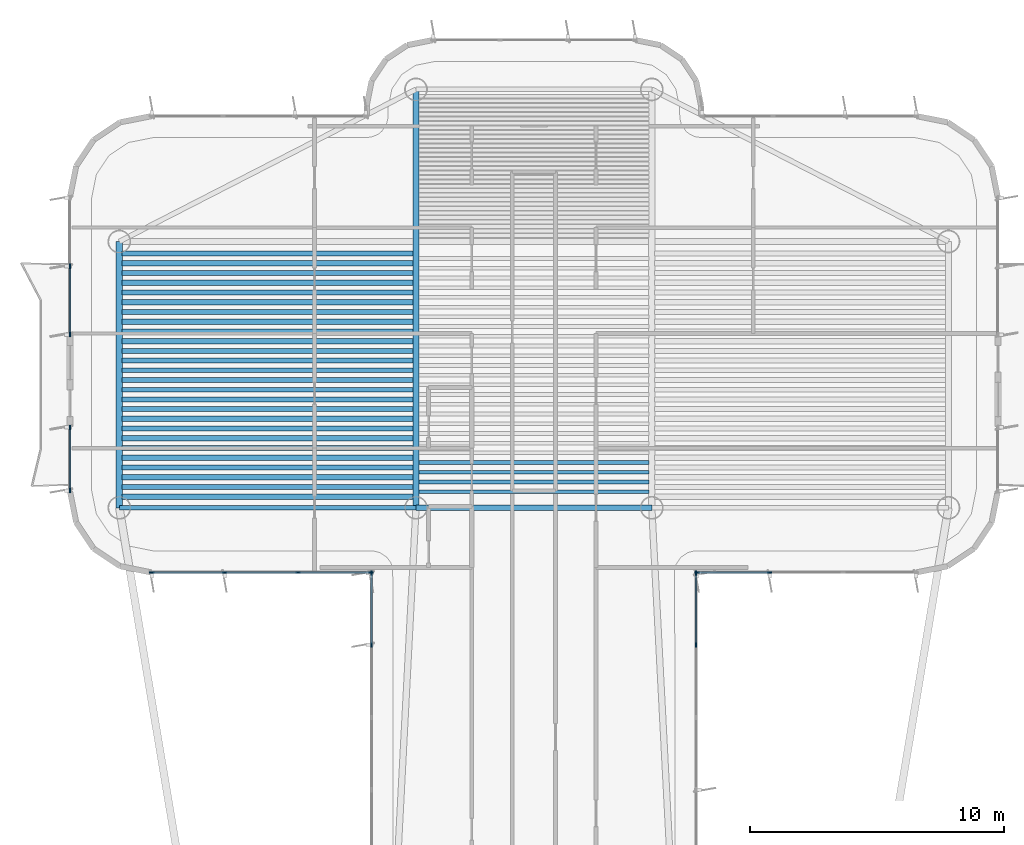
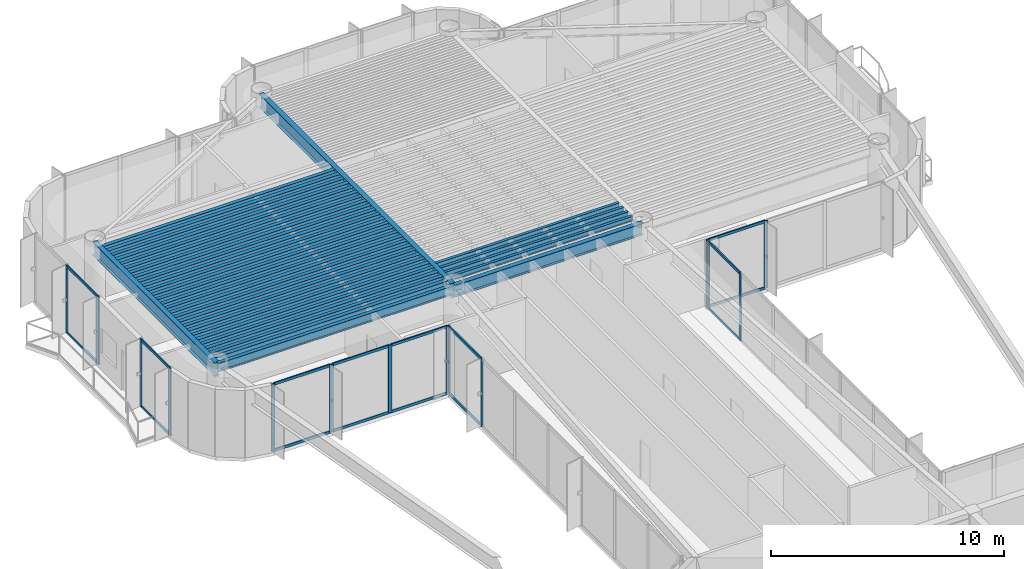
# One storey, part 5 of 15: 34 beams, 30 members, 6 elements without a shape of their own.
"""IFC4 building model written with IfcOpenShell, lengths in metres."""

from ifc_helpers import new_model, si_unit, direction, frame, origin, origin_2d, place, context, subcontext, project, spatial, rectangle, i_section, extrude, source, transform, mapped, material, layer, layer_set, material_profile, profile_set, type_object, element, aggregate, save


model = new_model("IFC4")

# Units and contexts
model_context = context("Model", 3, precision=1e-05, world=origin(), true_north=direction((0.0, 1.0)))
body_context = subcontext(model_context, "Body", "Model", "MODEL_VIEW")
ifc_project = project(units=[si_unit("LENGTHUNIT", "METRE"), si_unit("AREAUNIT", "SQUARE_METRE"), si_unit("VOLUMEUNIT", "CUBIC_METRE"), si_unit("PLANEANGLEUNIT", "RADIAN"), si_unit("MASSUNIT", "GRAM", prefix="KILO")], contexts=[model_context])

# Site, building, storey
site_placement = place(None, origin())
site = spatial("IfcSite", under=ifc_project, at=site_placement, CompositionType="ELEMENT")
building_placement = place(site_placement, origin())
building = spatial("IfcBuilding", under=site, at=building_placement, Name="Brelvock Crest Care Tower", CompositionType="ELEMENT")
storey_placement = place(building_placement, frame((0.0, 0.0, 260.820068359375)))
storey = spatial("IfcBuildingStorey", under=building, at=storey_placement, Name="L66", CompositionType="ELEMENT", Elevation=260.820068359375)

# Beams
ifc_material_1 = material(Name="Steel Grade 350", Category="steel")
ifc_material_profile_1 = material_profile(ifc_material_1, i_section(OverallWidth=0.25, OverallDepth=0.699951171875, WebThickness=0.011962890625, FlangeThickness=0.02001953125, at=origin_2d()), Name="700WB150")
ifc_profile_set_1 = profile_set([ifc_material_profile_1], Name="Steel Grade 350")
beam_type_1 = type_object("IfcBeamType", Name="BM-G4", PredefinedType="BEAM", material=ifc_profile_set_1)
shared_shape_1 = source(origin(), body_context, "Body", "SweptSolid", [
    extrude(i_section(OverallWidth=0.25, OverallDepth=0.699951171875, WebThickness=0.011962890625, FlangeThickness=0.02001953125, at=origin_2d()), origin(), (0.0, 0.0, 1.0), 10.5),
])
beam_1_placement = place(storey_placement, frame((19.64990234375, 43.949951171875, 3.179931640625), z_axis=(0.0, 1.0, 0.0), x_axis=(-1.0, 0.0, 0.0)))
element("IfcBeam", 1, at=beam_1_placement, inside=storey, type_object=beam_type_1, Name="BM-TWR-L66-01", PredefinedType="BEAM", context=body_context, shape_type="MappedRepresentation", body=[
    mapped(shared_shape_1, transform((0.0, 0.0, 0.0), x_axis=(1.0, 0.0, 0.0), y_axis=(0.0, 1.0, 0.0), z_axis=(0.0, 0.0, 1.0), scale=1.0)),
])
ifc_material_profile_2 = material_profile(ifc_material_1, i_section(OverallWidth=0.22900390625, OverallDepth=0.612060546875, WebThickness=0.011962890625, FlangeThickness=0.01953125, FilletRadius=0.013916015625, at=origin_2d()), Name="610UB125")
ifc_profile_set_2 = profile_set([ifc_material_profile_2], Name="Steel Grade 350")
beam_type_2 = type_object("IfcBeamType", Name="BM-G1", PredefinedType="BEAM", material=ifc_profile_set_2)
shared_shape_2 = source(origin(), body_context, "Body", "SweptSolid", [
    extrude(i_section(OverallWidth=0.22900390625, OverallDepth=0.612060546875, WebThickness=0.011962890625, FlangeThickness=0.01953125, FilletRadius=0.013916015625, at=origin_2d()), origin(), (0.0, 0.0, 1.0), 9.2998046875),
])
beam_2_placement = place(storey_placement, frame((31.35009765625, 43.949951171875, 3.223876953125), z_axis=(1.0, 0.0, 0.0), x_axis=(0.0, 1.0, 0.0)))
element("IfcBeam", 2, at=beam_2_placement, inside=storey, type_object=beam_type_2, Name="BM-TWR-L66-05", PredefinedType="BEAM", context=body_context, shape_type="MappedRepresentation", body=[
    mapped(shared_shape_2, transform((0.0, 0.0, 0.0), x_axis=(1.0, 0.0, 0.0), y_axis=(0.0, 1.0, 0.0), z_axis=(0.0, 0.0, 1.0), scale=1.0)),
])
ifc_material_profile_3 = material_profile(ifc_material_1, i_section(OverallWidth=0.14599609375, OverallDepth=0.256103515625, WebThickness=0.00634765625, FlangeThickness=0.010986328125, FilletRadius=0.0087890625, at=origin_2d()), Name="250UB37.3")
ifc_profile_set_3 = profile_set([ifc_material_profile_3], Name="Steel Grade 350")
beam_type_3 = type_object("IfcBeamType", Name="BM-J3", PredefinedType="JOIST", material=ifc_profile_set_3)
shared_shape_3 = source(origin(), body_context, "Body", "SweptSolid", [
    extrude(i_section(OverallWidth=0.14599609375, OverallDepth=0.256103515625, WebThickness=0.00634765625, FlangeThickness=0.010986328125, FilletRadius=0.0087890625, at=origin_2d()), origin(), (0.0, 0.0, 1.0), 9.06982421875),
])
for number, where, z_axis, x_axis, name in (
    (3, (31.465087890625, 44.58251953125, 3.40185546875), (1.0, 0.0, 0.0), (0.0, 1.0, 0.0), "BM-JH-L66-1"),
    (4, (31.465087890625, 44.9658203125, 3.40185546875), (1.0, 0.0, 0.0), (0.0, 1.0, 0.0), "BM-JH-L66-2"),
    (5, (31.465087890625, 45.34912109375, 3.40185546875), (1.0, 0.0, 0.0), (0.0, 1.0, 0.0), "BM-JH-L66-3"),
    (6, (31.465087890625, 45.732421875, 3.40185546875), (1.0, 0.0, 0.0), (0.0, 1.0, 0.0), "BM-JH-L66-4"),
):
    element("IfcBeam", number, at=place(storey_placement, frame(where, z_axis=z_axis, x_axis=x_axis)), inside=storey, type_object=beam_type_3, Name=name, PredefinedType="JOIST", context=body_context, shape_type="MappedRepresentation", body=[
        mapped(shared_shape_3, transform((0.0, 0.0, 0.0), x_axis=(1.0, 0.0, 0.0), y_axis=(0.0, 1.0, 0.0), z_axis=(0.0, 0.0, 1.0), scale=1.0)),
    ])
ifc_material_profile_4 = material_profile(ifc_material_1, i_section(OverallWidth=0.19091796875, OverallDepth=0.4599609375, WebThickness=0.010009765625, FlangeThickness=0.01611328125, FilletRadius=0.011474609375, at=origin_2d()), Name="460UB82.1")
ifc_profile_set_4 = profile_set([ifc_material_profile_4], Name="Steel Grade 350")
beam_type_4 = type_object("IfcBeamType", Name="BM-G3", PredefinedType="BEAM", material=ifc_profile_set_4)
shared_shape_4 = source(origin(), body_context, "Body", "SweptSolid", [
    extrude(i_section(OverallWidth=0.19091796875, OverallDepth=0.4599609375, WebThickness=0.010009765625, FlangeThickness=0.01611328125, FilletRadius=0.011474609375, at=origin_2d()), origin(), (0.0, 0.0, 1.0), 11.47021484375),
])
for number, where, z_axis, x_axis, name in (
    (7, (19.764892578125, 44.7744140625, 3.300048828125), (1.0, 0.0, 0.0), (0.0, 1.0, 0.0), "BM-JW-L66-2"),
    (8, (19.764892578125, 45.540771484375, 3.300048828125), (1.0, 0.0, 0.0), (0.0, 1.0, 0.0), "BM-JW-L66-4"),
    (9, (19.764892578125, 46.307373046875, 3.300048828125), (1.0, 0.0, 0.0), (0.0, 1.0, 0.0), "BM-JW-L66-6"),
    (10, (19.764892578125, 47.07373046875, 3.300048828125), (1.0, 0.0, 0.0), (0.0, 1.0, 0.0), "BM-JW-L66-8"),
    (11, (19.764892578125, 47.84033203125, 3.300048828125), (1.0, 0.0, 0.0), (0.0, 1.0, 0.0), "BM-JW-L66-10"),
    (12, (19.764892578125, 48.606689453125, 3.300048828125), (1.0, 0.0, 0.0), (0.0, 1.0, 0.0), "BM-JW-L66-12"),
    (13, (19.764892578125, 49.373291015625, 3.300048828125), (1.0, 0.0, 0.0), (0.0, 1.0, 0.0), "BM-JW-L66-14"),
    (14, (19.764892578125, 50.139892578125, 3.300048828125), (1.0, 0.0, 0.0), (0.0, 1.0, 0.0), "BM-JW-L66-16"),
    (15, (19.764892578125, 50.90625, 3.300048828125), (1.0, 0.0, 0.0), (0.0, 1.0, 0.0), "BM-JW-L66-18"),
    (16, (19.764892578125, 51.6728515625, 3.300048828125), (1.0, 0.0, 0.0), (0.0, 1.0, 0.0), "BM-JW-L66-20"),
    (17, (19.764892578125, 52.439208984375, 3.300048828125), (1.0, 0.0, 0.0), (0.0, 1.0, 0.0), "BM-JW-L66-22"),
    (18, (19.764892578125, 53.205810546875, 3.300048828125), (1.0, 0.0, 0.0), (0.0, 1.0, 0.0), "BM-JW-L66-24"),
    (19, (19.764892578125, 53.972412109375, 3.300048828125), (1.0, 0.0, 0.0), (0.0, 1.0, 0.0), "BM-JW-L66-26"),
):
    element("IfcBeam", number, at=place(storey_placement, frame(where, z_axis=z_axis, x_axis=x_axis)), inside=storey, type_object=beam_type_4, Name=name, PredefinedType="BEAM", context=body_context, shape_type="MappedRepresentation", body=[
        mapped(shared_shape_4, transform((0.0, 0.0, 0.0), x_axis=(1.0, 0.0, 0.0), y_axis=(0.0, 1.0, 0.0), z_axis=(0.0, 0.0, 1.0), scale=1.0)),
    ])
ifc_material_profile_5 = material_profile(ifc_material_1, i_section(OverallWidth=0.208984375, OverallDepth=0.532958984375, WebThickness=0.01025390625, FlangeThickness=0.015625, FilletRadius=0.013916015625, at=origin_2d()), Name="530UB92.4")
ifc_profile_set_5 = profile_set([ifc_material_profile_5], Name="Steel Grade 350")
beam_type_5 = type_object("IfcBeamType", Name="BM-G2", PredefinedType="BEAM", material=ifc_profile_set_5)
shared_shape_5 = source(origin(), body_context, "Body", "SweptSolid", [
    extrude(i_section(OverallWidth=0.208984375, OverallDepth=0.532958984375, WebThickness=0.01025390625, FlangeThickness=0.015625, FilletRadius=0.013916015625, at=origin_2d()), origin(), (0.0, 0.0, 1.0), 11.47021484375),
])
for number, where, z_axis, x_axis, name in (
    (20, (19.764892578125, 44.39111328125, 3.263427734375), (1.0, 0.0, 0.0), (0.0, 1.0, 0.0), "BM-JW-L66-1"),
    (21, (19.764892578125, 45.157470703125, 3.263427734375), (1.0, 0.0, 0.0), (0.0, 1.0, 0.0), "BM-JW-L66-3"),
    (22, (19.764892578125, 45.924072265625, 3.263427734375), (1.0, 0.0, 0.0), (0.0, 1.0, 0.0), "BM-JW-L66-5"),
    (23, (19.764892578125, 46.6904296875, 3.263427734375), (1.0, 0.0, 0.0), (0.0, 1.0, 0.0), "BM-JW-L66-7"),
    (24, (19.764892578125, 47.45703125, 3.263427734375), (1.0, 0.0, 0.0), (0.0, 1.0, 0.0), "BM-JW-L66-9"),
    (25, (19.764892578125, 48.223388671875, 3.263427734375), (1.0, 0.0, 0.0), (0.0, 1.0, 0.0), "BM-JW-L66-11"),
    (26, (19.764892578125, 48.989990234375, 3.263427734375), (1.0, 0.0, 0.0), (0.0, 1.0, 0.0), "BM-JW-L66-13"),
    (27, (19.764892578125, 49.756591796875, 3.263427734375), (1.0, 0.0, 0.0), (0.0, 1.0, 0.0), "BM-JW-L66-15"),
    (28, (19.764892578125, 50.52294921875, 3.263427734375), (1.0, 0.0, 0.0), (0.0, 1.0, 0.0), "BM-JW-L66-17"),
    (29, (19.764892578125, 51.28955078125, 3.263427734375), (1.0, 0.0, 0.0), (0.0, 1.0, 0.0), "BM-JW-L66-19"),
    (30, (19.764892578125, 52.055908203125, 3.263427734375), (1.0, 0.0, 0.0), (0.0, 1.0, 0.0), "BM-JW-L66-21"),
    (31, (19.764892578125, 52.822509765625, 3.263427734375), (1.0, 0.0, 0.0), (0.0, 1.0, 0.0), "BM-JW-L66-23"),
    (32, (19.764892578125, 53.589111328125, 3.263427734375), (1.0, 0.0, 0.0), (0.0, 1.0, 0.0), "BM-JW-L66-25"),
):
    element("IfcBeam", number, at=place(storey_placement, frame(where, z_axis=z_axis, x_axis=x_axis)), inside=storey, type_object=beam_type_5, Name=name, PredefinedType="BEAM", context=body_context, shape_type="MappedRepresentation", body=[
        mapped(shared_shape_5, transform((0.0, 0.0, 0.0), x_axis=(1.0, 0.0, 0.0), y_axis=(0.0, 1.0, 0.0), z_axis=(0.0, 0.0, 1.0), scale=1.0)),
    ])
ifc_material_profile_6 = material_profile(ifc_material_1, i_section(OverallWidth=0.19091796875, OverallDepth=0.4599609375, WebThickness=0.010009765625, FlangeThickness=0.01611328125, FilletRadius=0.011474609375, at=origin_2d()), Name="460UB82.1")
ifc_profile_set_6 = profile_set([ifc_material_profile_6], Name="Steel Grade 350")
beam_type_6 = type_object("IfcBeamType", Name="BM-SP2", PredefinedType="SPANDREL", material=ifc_profile_set_6)
shared_shape_6 = source(origin(), body_context, "Body", "SweptSolid", [
    extrude(i_section(OverallWidth=0.19091796875, OverallDepth=0.4599609375, WebThickness=0.010009765625, FlangeThickness=0.01611328125, FilletRadius=0.011474609375, at=origin_2d()), origin(), (0.0, 0.0, 1.0), 11.7001953125),
])
beam_3_placement = place(storey_placement, frame((19.64990234375, 43.949951171875, 3.300048828125), z_axis=(1.0, 0.0, 0.0), x_axis=(0.0, 1.0, 0.0)))
element("IfcBeam", 33, at=beam_3_placement, inside=storey, type_object=beam_type_6, Name="BM-TWR-L66-03", PredefinedType="SPANDREL", context=body_context, shape_type="MappedRepresentation", body=[
    mapped(shared_shape_6, transform((0.0, 0.0, 0.0), x_axis=(1.0, 0.0, 0.0), y_axis=(0.0, 1.0, 0.0), z_axis=(0.0, 0.0, 1.0), scale=1.0)),
])
shared_shape_7 = source(origin(), body_context, "Body", "SweptSolid", [
    extrude(i_section(OverallWidth=0.25, OverallDepth=0.699951171875, WebThickness=0.011962890625, FlangeThickness=0.02001953125, at=origin_2d()), origin(), (0.0, 0.0, 1.0), 16.5),
])
beam_4_placement = place(storey_placement, frame((31.35009765625, 43.949951171875, 3.179931640625), z_axis=(0.0, 1.0, 0.0), x_axis=(-1.0, 0.0, 0.0)))
element("IfcBeam", 34, at=beam_4_placement, inside=storey, type_object=beam_type_1, Name="BM-TWR-L66-09", PredefinedType="BEAM", context=body_context, shape_type="MappedRepresentation", body=[
    mapped(shared_shape_7, transform((0.0, 0.0, 0.0), x_axis=(1.0, 0.0, 0.0), y_axis=(0.0, 1.0, 0.0), z_axis=(0.0, 0.0, 1.0), scale=1.0)),
])

# Curtain wall, members
ifc_material_2 = material(Name="Dark Glass Double Glazed Low-E", Category="glass")
ifc_layer = layer(ifc_material_2, 0.239990234375, Name="CWS-5")
ifc_layer_set = layer_set([ifc_layer], Name="Dark Glass Double Glazed Low-E")
curtain_wall_type = type_object("IfcCurtainWallType", Name="CWS-5", PredefinedType="NOTDEFINED", material=ifc_layer_set)
curtain_wall_1_placement = place(storey_placement, origin())
curtain_wall_1 = element("IfcCurtainWall", 35, at=curtain_wall_1_placement, inside=storey, type_object=curtain_wall_type, Name="L66 Curtain Wall E11", PredefinedType="NOTDEFINED")
ifc_material_3 = material(Name="Aluminium 6063-T6", Category="aluminium")
ifc_material_profile_7 = material_profile(ifc_material_3, rectangle(XDim=0.06005859375, YDim=0.179931640625, at=origin_2d()), Name="ALU60x180")
ifc_profile_set_7 = profile_set([ifc_material_profile_7], Name="Aluminium 6063-T6")
member_type_1 = type_object("IfcMemberType", Name="CWM-2", PredefinedType="MULLION", material=ifc_profile_set_7)
shared_shape_8 = source(origin(), body_context, "Body", "SweptSolid", [
    extrude(rectangle(XDim=0.06005859375, YDim=0.179931640625, at=origin_2d()), origin(), (0.0, 0.0, 1.0), 3.530029296875),
])
member_1_placement = place(storey_placement, frame((29.60009765625, 38.54296875, 0.0), z_axis=(0.0, 0.0, 1.0), x_axis=(-1.0, 0.0, 0.0)))
member_1 = element("IfcMember", 36, at=member_1_placement, type_object=member_type_1, Name="CW-5 mullion 7", PredefinedType="MULLION", context=body_context, shape_type="MappedRepresentation", body=[
    mapped(shared_shape_8, transform((0.0, 0.0, 0.0), x_axis=(1.0, 0.0, 0.0), y_axis=(0.0, 1.0, 0.0), z_axis=(0.0, 0.0, 1.0), scale=1.0)),
])
member_2_placement = place(storey_placement, frame((29.60009765625, 41.3701171875, 0.0), z_axis=(0.0, 0.0, 1.0), x_axis=(-1.0, 0.0, 0.0)))
member_2 = element("IfcMember", 37, at=member_2_placement, type_object=member_type_1, Name="CW-5 mullion 8", PredefinedType="MULLION", context=body_context, shape_type="MappedRepresentation", body=[
    mapped(shared_shape_8, transform((0.0, 0.0, 0.0), x_axis=(1.0, 0.0, 0.0), y_axis=(0.0, 1.0, 0.0), z_axis=(0.0, 0.0, 1.0), scale=1.0)),
])

curtain_wall_2_placement = place(storey_placement, origin())
curtain_wall_2 = element("IfcCurtainWall", 38, at=curtain_wall_2_placement, inside=storey, type_object=curtain_wall_type, Name="L66 Curtain Wall E12", PredefinedType="NOTDEFINED")
member_3_placement = place(storey_placement, frame((29.570068359375, 41.39990234375, 0.0), z_axis=(0.0, 0.0, 1.0), x_axis=(0.0, -1.0, 0.0)))
member_3 = element("IfcMember", 39, at=member_3_placement, type_object=member_type_1, Name="CW-5 mullion 1", PredefinedType="MULLION", context=body_context, shape_type="MappedRepresentation", body=[
    mapped(shared_shape_8, transform((0.0, 0.0, 0.0), x_axis=(1.0, 0.0, 0.0), y_axis=(0.0, 1.0, 0.0), z_axis=(0.0, 0.0, 1.0), scale=1.0)),
])
member_4_placement = place(storey_placement, frame((26.699951171875, 41.39990234375, 0.0), z_axis=(0.0, 0.0, 1.0), x_axis=(0.0, -1.0, 0.0)))
member_4 = element("IfcMember", 40, at=member_4_placement, type_object=member_type_1, Name="CW-5 mullion 2", PredefinedType="MULLION", context=body_context, shape_type="MappedRepresentation", body=[
    mapped(shared_shape_8, transform((0.0, 0.0, 0.0), x_axis=(1.0, 0.0, 0.0), y_axis=(0.0, 1.0, 0.0), z_axis=(0.0, 0.0, 1.0), scale=1.0)),
])
member_5_placement = place(storey_placement, frame((23.800048828125, 41.39990234375, 0.0), z_axis=(0.0, 0.0, 1.0), x_axis=(0.0, -1.0, 0.0)))
member_5 = element("IfcMember", 41, at=member_5_placement, type_object=member_type_1, Name="CW-5 mullion 3", PredefinedType="MULLION", context=body_context, shape_type="MappedRepresentation", body=[
    mapped(shared_shape_8, transform((0.0, 0.0, 0.0), x_axis=(1.0, 0.0, 0.0), y_axis=(0.0, 1.0, 0.0), z_axis=(0.0, 0.0, 1.0), scale=1.0)),
])
member_6_placement = place(storey_placement, frame((20.929931640625, 41.39990234375, 0.0), z_axis=(0.0, 0.0, 1.0), x_axis=(0.0, -1.0, 0.0)))
member_6 = element("IfcMember", 42, at=member_6_placement, type_object=member_type_1, Name="CW-5 mullion 4", PredefinedType="MULLION", context=body_context, shape_type="MappedRepresentation", body=[
    mapped(shared_shape_8, transform((0.0, 0.0, 0.0), x_axis=(1.0, 0.0, 0.0), y_axis=(0.0, 1.0, 0.0), z_axis=(0.0, 0.0, 1.0), scale=1.0)),
])

curtain_wall_3_placement = place(storey_placement, origin())
curtain_wall_3 = element("IfcCurtainWall", 43, at=curtain_wall_3_placement, inside=storey, type_object=curtain_wall_type, Name="L66 Curtain Wall E17A", PredefinedType="NOTDEFINED")
member_7_placement = place(storey_placement, frame((17.699951171875, 44.6298828125, 0.0), z_axis=(0.0, 0.0, 1.0), x_axis=(-1.0, 0.0, 0.0)))
member_7 = element("IfcMember", 44, at=member_7_placement, type_object=member_type_1, Name="CW-5 mullion 1", PredefinedType="MULLION", context=body_context, shape_type="MappedRepresentation", body=[
    mapped(shared_shape_8, transform((0.0, 0.0, 0.0), x_axis=(1.0, 0.0, 0.0), y_axis=(0.0, 1.0, 0.0), z_axis=(0.0, 0.0, 1.0), scale=1.0)),
])
member_8_placement = place(storey_placement, frame((17.699951171875, 47.1201171875, 0.0), z_axis=(0.0, 0.0, 1.0), x_axis=(-1.0, 0.0, 0.0)))
member_8 = element("IfcMember", 45, at=member_8_placement, type_object=member_type_1, Name="CW-5 mullion 2", PredefinedType="MULLION", context=body_context, shape_type="MappedRepresentation", body=[
    mapped(shared_shape_8, transform((0.0, 0.0, 0.0), x_axis=(1.0, 0.0, 0.0), y_axis=(0.0, 1.0, 0.0), z_axis=(0.0, 0.0, 1.0), scale=1.0)),
])

curtain_wall_4_placement = place(storey_placement, origin())
curtain_wall_4 = element("IfcCurtainWall", 46, at=curtain_wall_4_placement, inside=storey, type_object=curtain_wall_type, Name="L66 Curtain Wall E17B", PredefinedType="NOTDEFINED")
member_9_placement = place(storey_placement, frame((17.699951171875, 50.780029296875, 0.0), z_axis=(0.0, 0.0, 1.0), x_axis=(-1.0, 0.0, 0.0)))
member_9 = element("IfcMember", 47, at=member_9_placement, type_object=member_type_1, Name="CW-5 mullion 1", PredefinedType="MULLION", context=body_context, shape_type="MappedRepresentation", body=[
    mapped(shared_shape_8, transform((0.0, 0.0, 0.0), x_axis=(1.0, 0.0, 0.0), y_axis=(0.0, 1.0, 0.0), z_axis=(0.0, 0.0, 1.0), scale=1.0)),
])
member_10_placement = place(storey_placement, frame((17.699951171875, 53.47509765625, 0.0), z_axis=(0.0, 0.0, 1.0), x_axis=(-1.0, 0.0, 0.0)))
member_10 = element("IfcMember", 48, at=member_10_placement, type_object=member_type_1, Name="CW-5 mullion 2", PredefinedType="MULLION", context=body_context, shape_type="MappedRepresentation", body=[
    mapped(shared_shape_8, transform((0.0, 0.0, 0.0), x_axis=(1.0, 0.0, 0.0), y_axis=(0.0, 1.0, 0.0), z_axis=(0.0, 0.0, 1.0), scale=1.0)),
])

curtain_wall_5_placement = place(storey_placement, origin())
curtain_wall_5 = element("IfcCurtainWall", 49, at=curtain_wall_5_placement, inside=storey, type_object=curtain_wall_type, Name="L66 Curtain Wall E44", PredefinedType="NOTDEFINED")
member_11_placement = place(storey_placement, frame((45.300048828125, 41.39990234375, 0.0), z_axis=(0.0, 0.0, 1.0), x_axis=(0.0, -1.0, 0.0)))
member_11 = element("IfcMember", 50, at=member_11_placement, type_object=member_type_1, Name="CW-5 mullion 3", PredefinedType="MULLION", context=body_context, shape_type="MappedRepresentation", body=[
    mapped(shared_shape_8, transform((0.0, 0.0, 0.0), x_axis=(1.0, 0.0, 0.0), y_axis=(0.0, 1.0, 0.0), z_axis=(0.0, 0.0, 1.0), scale=1.0)),
])
member_12_placement = place(storey_placement, frame((42.429931640625, 41.39990234375, 0.0), z_axis=(0.0, 0.0, 1.0), x_axis=(0.0, -1.0, 0.0)))
member_12 = element("IfcMember", 51, at=member_12_placement, type_object=member_type_1, Name="CW-5 mullion 4", PredefinedType="MULLION", context=body_context, shape_type="MappedRepresentation", body=[
    mapped(shared_shape_8, transform((0.0, 0.0, 0.0), x_axis=(1.0, 0.0, 0.0), y_axis=(0.0, 1.0, 0.0), z_axis=(0.0, 0.0, 1.0), scale=1.0)),
])

curtain_wall_6_placement = place(storey_placement, origin())
curtain_wall_6 = element("IfcCurtainWall", 52, at=curtain_wall_6_placement, inside=storey, type_object=curtain_wall_type, Name="L66 Curtain Wall E45", PredefinedType="NOTDEFINED")
member_13_placement = place(storey_placement, frame((42.39990234375, 41.3701171875, 0.0), z_axis=(0.0, 0.0, 1.0), x_axis=(1.0, 0.0, 0.0)))
member_13 = element("IfcMember", 53, at=member_13_placement, type_object=member_type_1, Name="CW-5 mullion 1", PredefinedType="MULLION", context=body_context, shape_type="MappedRepresentation", body=[
    mapped(shared_shape_8, transform((0.0, 0.0, 0.0), x_axis=(1.0, 0.0, 0.0), y_axis=(0.0, 1.0, 0.0), z_axis=(0.0, 0.0, 1.0), scale=1.0)),
])
member_14_placement = place(storey_placement, frame((42.39990234375, 38.54296875, 0.0), z_axis=(0.0, 0.0, 1.0), x_axis=(1.0, 0.0, 0.0)))
member_14 = element("IfcMember", 54, at=member_14_placement, type_object=member_type_1, Name="CW-5 mullion 2", PredefinedType="MULLION", context=body_context, shape_type="MappedRepresentation", body=[
    mapped(shared_shape_8, transform((0.0, 0.0, 0.0), x_axis=(1.0, 0.0, 0.0), y_axis=(0.0, 1.0, 0.0), z_axis=(0.0, 0.0, 1.0), scale=1.0)),
])

# Member
ifc_material_profile_8 = material_profile(ifc_material_3, rectangle(XDim=0.06005859375, YDim=0.139892578125, at=origin_2d()), Name="ALU60x140")
ifc_profile_set_8 = profile_set([ifc_material_profile_8], Name="Aluminium 6063-T6")
member_type_2 = type_object("IfcMemberType", Name="CWT-2", PredefinedType="USERDEFINED", material=ifc_profile_set_8)
shared_shape_9 = source(origin(), body_context, "Body", "SweptSolid", [
    extrude(rectangle(XDim=0.06005859375, YDim=0.139892578125, at=origin_2d()), origin(), (0.0, 0.0, 1.0), 2.767333984375),
])
member_15_placement = place(storey_placement, frame((29.60009765625, 38.57275390625, 0.030029296875), z_axis=(0.0, 1.0, 0.0), x_axis=(-1.0, 0.0, 0.0)))
member_15 = element("IfcMember", 55, at=member_15_placement, type_object=member_type_2, Name="CW-5 transom 7.1", ObjectType="TRANSOM", PredefinedType="USERDEFINED", context=body_context, shape_type="MappedRepresentation", body=[
    mapped(shared_shape_9, transform((0.0, 0.0, 0.0), x_axis=(1.0, 0.0, 0.0), y_axis=(0.0, 1.0, 0.0), z_axis=(0.0, 0.0, 1.0), scale=1.0)),
])

member_16_placement = place(storey_placement, frame((29.60009765625, 38.57275390625, 3.5), z_axis=(0.0, 1.0, 0.0), x_axis=(-1.0, 0.0, 0.0)))
member_16 = element("IfcMember", 56, at=member_16_placement, type_object=member_type_2, Name="CW-5 transom 7.2", ObjectType="TRANSOM", PredefinedType="USERDEFINED", context=body_context, shape_type="MappedRepresentation", body=[
    mapped(shared_shape_9, transform((0.0, 0.0, 0.0), x_axis=(1.0, 0.0, 0.0), y_axis=(0.0, 1.0, 0.0), z_axis=(0.0, 0.0, 1.0), scale=1.0)),
])

aggregate(curtain_wall_1, [member_1, member_2, member_15, member_16])

member_17_placement = place(storey_placement, frame((42.39990234375, 41.340087890625, 0.030029296875), z_axis=(0.0, -1.0, 0.0), x_axis=(1.0, 0.0, 0.0)))
member_17 = element("IfcMember", 57, at=member_17_placement, type_object=member_type_2, Name="CW-5 transom 1.1", ObjectType="TRANSOM", PredefinedType="USERDEFINED", context=body_context, shape_type="MappedRepresentation", body=[
    mapped(shared_shape_9, transform((0.0, 0.0, 0.0), x_axis=(1.0, 0.0, 0.0), y_axis=(0.0, 1.0, 0.0), z_axis=(0.0, 0.0, 1.0), scale=1.0)),
])

member_18_placement = place(storey_placement, frame((42.39990234375, 41.340087890625, 3.5), z_axis=(0.0, -1.0, 0.0), x_axis=(1.0, 0.0, 0.0)))
member_18 = element("IfcMember", 58, at=member_18_placement, type_object=member_type_2, Name="CW-5 transom 1.2", ObjectType="TRANSOM", PredefinedType="USERDEFINED", context=body_context, shape_type="MappedRepresentation", body=[
    mapped(shared_shape_9, transform((0.0, 0.0, 0.0), x_axis=(1.0, 0.0, 0.0), y_axis=(0.0, 1.0, 0.0), z_axis=(0.0, 0.0, 1.0), scale=1.0)),
])

aggregate(curtain_wall_6, [member_13, member_14, member_17, member_18])

shared_shape_10 = source(origin(), body_context, "Body", "SweptSolid", [
    extrude(rectangle(XDim=0.06005859375, YDim=0.139892578125, at=origin_2d()), origin(), (0.0, 0.0, 1.0), 2.81005859375),
])
member_19_placement = place(storey_placement, frame((29.5400390625, 41.39990234375, 0.030029296875), z_axis=(-1.0, 0.0, 0.0), x_axis=(0.0, -1.0, 0.0)))
member_19 = element("IfcMember", 59, at=member_19_placement, type_object=member_type_2, Name="CW-5 transom 1.1", ObjectType="TRANSOM", PredefinedType="USERDEFINED", context=body_context, shape_type="MappedRepresentation", body=[
    mapped(shared_shape_10, transform((0.0, 0.0, 0.0), x_axis=(1.0, 0.0, 0.0), y_axis=(0.0, 1.0, 0.0), z_axis=(0.0, 0.0, 1.0), scale=1.0)),
])

member_20_placement = place(storey_placement, frame((29.5400390625, 41.39990234375, 3.5), z_axis=(-1.0, 0.0, 0.0), x_axis=(0.0, -1.0, 0.0)))
member_20 = element("IfcMember", 60, at=member_20_placement, type_object=member_type_2, Name="CW-5 transom 1.2", ObjectType="TRANSOM", PredefinedType="USERDEFINED", context=body_context, shape_type="MappedRepresentation", body=[
    mapped(shared_shape_10, transform((0.0, 0.0, 0.0), x_axis=(1.0, 0.0, 0.0), y_axis=(0.0, 1.0, 0.0), z_axis=(0.0, 0.0, 1.0), scale=1.0)),
])

member_21_placement = place(storey_placement, frame((23.77001953125, 41.39990234375, 0.030029296875), z_axis=(-1.0, 0.0, 0.0), x_axis=(0.0, -1.0, 0.0)))
member_21 = element("IfcMember", 61, at=member_21_placement, type_object=member_type_2, Name="CW-5 transom 3.1", ObjectType="TRANSOM", PredefinedType="USERDEFINED", context=body_context, shape_type="MappedRepresentation", body=[
    mapped(shared_shape_10, transform((0.0, 0.0, 0.0), x_axis=(1.0, 0.0, 0.0), y_axis=(0.0, 1.0, 0.0), z_axis=(0.0, 0.0, 1.0), scale=1.0)),
])

member_22_placement = place(storey_placement, frame((23.77001953125, 41.39990234375, 3.5), z_axis=(-1.0, 0.0, 0.0), x_axis=(0.0, -1.0, 0.0)))
member_22 = element("IfcMember", 62, at=member_22_placement, type_object=member_type_2, Name="CW-5 transom 3.2", ObjectType="TRANSOM", PredefinedType="USERDEFINED", context=body_context, shape_type="MappedRepresentation", body=[
    mapped(shared_shape_10, transform((0.0, 0.0, 0.0), x_axis=(1.0, 0.0, 0.0), y_axis=(0.0, 1.0, 0.0), z_axis=(0.0, 0.0, 1.0), scale=1.0)),
])

member_23_placement = place(storey_placement, frame((45.27001953125, 41.39990234375, 0.030029296875), z_axis=(-1.0, 0.0, 0.0), x_axis=(0.0, -1.0, 0.0)))
member_23 = element("IfcMember", 63, at=member_23_placement, type_object=member_type_2, Name="CW-5 transom 3.1", ObjectType="TRANSOM", PredefinedType="USERDEFINED", context=body_context, shape_type="MappedRepresentation", body=[
    mapped(shared_shape_10, transform((0.0, 0.0, 0.0), x_axis=(1.0, 0.0, 0.0), y_axis=(0.0, 1.0, 0.0), z_axis=(0.0, 0.0, 1.0), scale=1.0)),
])

member_24_placement = place(storey_placement, frame((45.27001953125, 41.39990234375, 3.5), z_axis=(-1.0, 0.0, 0.0), x_axis=(0.0, -1.0, 0.0)))
member_24 = element("IfcMember", 64, at=member_24_placement, type_object=member_type_2, Name="CW-5 transom 3.2", ObjectType="TRANSOM", PredefinedType="USERDEFINED", context=body_context, shape_type="MappedRepresentation", body=[
    mapped(shared_shape_10, transform((0.0, 0.0, 0.0), x_axis=(1.0, 0.0, 0.0), y_axis=(0.0, 1.0, 0.0), z_axis=(0.0, 0.0, 1.0), scale=1.0)),
])

aggregate(curtain_wall_5, [member_11, member_12, member_23, member_24])

shared_shape_11 = source(origin(), body_context, "Body", "SweptSolid", [
    extrude(rectangle(XDim=0.06005859375, YDim=0.139892578125, at=origin_2d()), origin(), (0.0, 0.0, 1.0), 2.83984375),
])
member_25_placement = place(storey_placement, frame((26.669921875, 41.39990234375, 0.030029296875), z_axis=(-1.0, 0.0, 0.0), x_axis=(0.0, -1.0, 0.0)))
member_25 = element("IfcMember", 65, at=member_25_placement, type_object=member_type_2, Name="CW-5 transom 2.1", ObjectType="TRANSOM", PredefinedType="USERDEFINED", context=body_context, shape_type="MappedRepresentation", body=[
    mapped(shared_shape_11, transform((0.0, 0.0, 0.0), x_axis=(1.0, 0.0, 0.0), y_axis=(0.0, 1.0, 0.0), z_axis=(0.0, 0.0, 1.0), scale=1.0)),
])

member_26_placement = place(storey_placement, frame((26.669921875, 41.39990234375, 3.5), z_axis=(-1.0, 0.0, 0.0), x_axis=(0.0, -1.0, 0.0)))
member_26 = element("IfcMember", 66, at=member_26_placement, type_object=member_type_2, Name="CW-5 transom 2.2", ObjectType="TRANSOM", PredefinedType="USERDEFINED", context=body_context, shape_type="MappedRepresentation", body=[
    mapped(shared_shape_11, transform((0.0, 0.0, 0.0), x_axis=(1.0, 0.0, 0.0), y_axis=(0.0, 1.0, 0.0), z_axis=(0.0, 0.0, 1.0), scale=1.0)),
])

aggregate(curtain_wall_2, [member_3, member_4, member_5, member_6, member_19, member_20, member_25, member_26, member_21, member_22])

shared_shape_12 = source(origin(), body_context, "Body", "SweptSolid", [
    extrude(rectangle(XDim=0.06005859375, YDim=0.139892578125, at=origin_2d()), origin(), (0.0, 0.0, 1.0), 2.43017578125),
])
member_27_placement = place(storey_placement, frame((17.699951171875, 44.659912109375, 0.030029296875), z_axis=(0.0, 1.0, 0.0), x_axis=(-1.0, 0.0, 0.0)))
member_27 = element("IfcMember", 67, at=member_27_placement, type_object=member_type_2, Name="CW-5 transom 1.1", ObjectType="TRANSOM", PredefinedType="USERDEFINED", context=body_context, shape_type="MappedRepresentation", body=[
    mapped(shared_shape_12, transform((0.0, 0.0, 0.0), x_axis=(1.0, 0.0, 0.0), y_axis=(0.0, 1.0, 0.0), z_axis=(0.0, 0.0, 1.0), scale=1.0)),
])

member_28_placement = place(storey_placement, frame((17.699951171875, 44.659912109375, 3.5), z_axis=(0.0, 1.0, 0.0), x_axis=(-1.0, 0.0, 0.0)))
member_28 = element("IfcMember", 68, at=member_28_placement, type_object=member_type_2, Name="CW-5 transom 1.2", ObjectType="TRANSOM", PredefinedType="USERDEFINED", context=body_context, shape_type="MappedRepresentation", body=[
    mapped(shared_shape_12, transform((0.0, 0.0, 0.0), x_axis=(1.0, 0.0, 0.0), y_axis=(0.0, 1.0, 0.0), z_axis=(0.0, 0.0, 1.0), scale=1.0)),
])

aggregate(curtain_wall_3, [member_7, member_8, member_27, member_28])

shared_shape_13 = source(origin(), body_context, "Body", "SweptSolid", [
    extrude(rectangle(XDim=0.06005859375, YDim=0.139892578125, at=origin_2d()), origin(), (0.0, 0.0, 1.0), 2.635009765625),
])
member_29_placement = place(storey_placement, frame((17.699951171875, 50.81005859375, 0.030029296875), z_axis=(0.0, 1.0, 0.0), x_axis=(-1.0, 0.0, 0.0)))
member_29 = element("IfcMember", 69, at=member_29_placement, type_object=member_type_2, Name="CW-5 transom 1.1", ObjectType="TRANSOM", PredefinedType="USERDEFINED", context=body_context, shape_type="MappedRepresentation", body=[
    mapped(shared_shape_13, transform((0.0, 0.0, 0.0), x_axis=(1.0, 0.0, 0.0), y_axis=(0.0, 1.0, 0.0), z_axis=(0.0, 0.0, 1.0), scale=1.0)),
])

member_30_placement = place(storey_placement, frame((17.699951171875, 50.81005859375, 3.5), z_axis=(0.0, 1.0, 0.0), x_axis=(-1.0, 0.0, 0.0)))
member_30 = element("IfcMember", 70, at=member_30_placement, type_object=member_type_2, Name="CW-5 transom 1.2", ObjectType="TRANSOM", PredefinedType="USERDEFINED", context=body_context, shape_type="MappedRepresentation", body=[
    mapped(shared_shape_13, transform((0.0, 0.0, 0.0), x_axis=(1.0, 0.0, 0.0), y_axis=(0.0, 1.0, 0.0), z_axis=(0.0, 0.0, 1.0), scale=1.0)),
])

aggregate(curtain_wall_4, [member_9, member_10, member_29, member_30])

save(model, "model.ifc")
